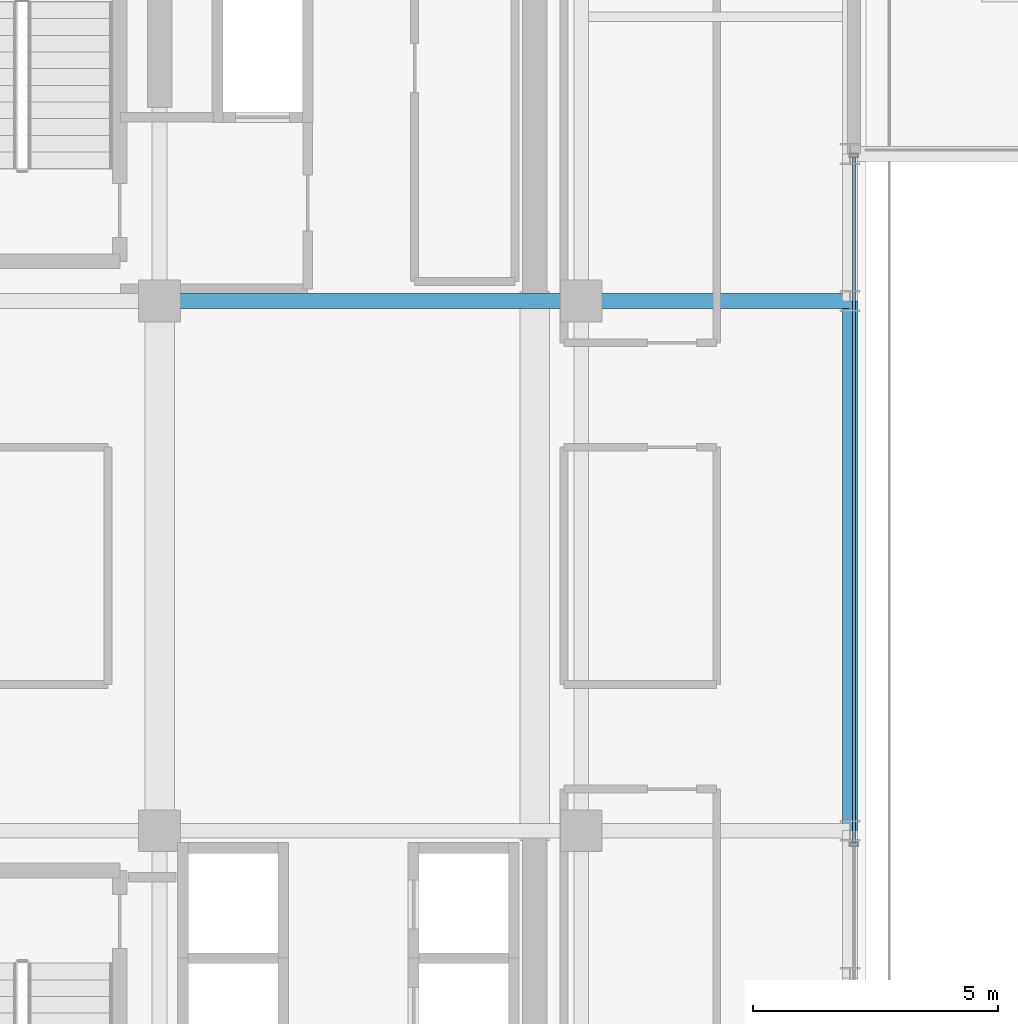
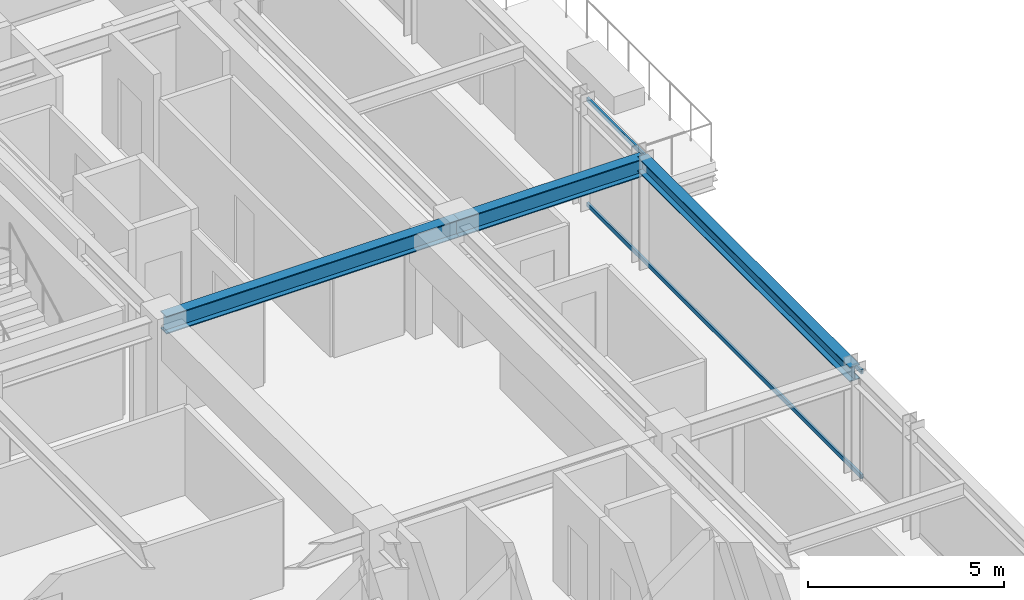
# One storey, part 12 of 33: 3 beams, 2 members, 1 element without a shape of its own.
"""IFC4 building model written with IfcOpenShell, lengths in metres."""

from ifc_helpers import new_model, si_unit, direction, frame, origin, origin_2d, place, context, subcontext, project, spatial, hollow_rectangle, i_section, extrude, source, transform, mapped, material, material_profile, profile_set, type_object, element, aggregate, save


model = new_model("IFC4")

# Units and contexts
model_context = context("Model", 3, precision=1e-05, world=origin(), true_north=direction((0.0, 1.0)))
body_context = subcontext(model_context, "Body", "Model", "MODEL_VIEW")
ifc_project = project(units=[si_unit("LENGTHUNIT", "METRE"), si_unit("AREAUNIT", "SQUARE_METRE"), si_unit("VOLUMEUNIT", "CUBIC_METRE"), si_unit("PLANEANGLEUNIT", "RADIAN"), si_unit("MASSUNIT", "GRAM", prefix="KILO")], contexts=[model_context])

# Site, building, storey
site_placement = place(None, origin())
site = spatial("IfcSite", under=ifc_project, at=site_placement, CompositionType="ELEMENT")
building_placement = place(site_placement, origin())
building = spatial("IfcBuilding", under=site, at=building_placement, Name="Nahalor Promenade Grand Hotel", CompositionType="ELEMENT")
storey_placement = place(building_placement, frame((0.0, 0.0, 149.0)))
storey = spatial("IfcBuildingStorey", under=building, at=storey_placement, Name="L37", CompositionType="ELEMENT", Elevation=149.0)

# Beams
ifc_material_1 = material(Name="Steel S355JR", Category="steel")
ifc_material_profile_1 = material_profile(ifc_material_1, i_section(OverallWidth=0.3, OverallDepth=0.55, WebThickness=0.015, FlangeThickness=0.029, at=origin_2d()), Name="HEB 550")
ifc_profile_set_1 = profile_set([ifc_material_profile_1], Name="Steel S355JR")
beam_type_1 = type_object("IfcBeamType", Name="Beam-Girder-HEB550", PredefinedType="BEAM", material=ifc_profile_set_1)
shared_shape_1 = source(origin(), body_context, "Body", "SweptSolid", [
    extrude(i_section(OverallWidth=0.3, OverallDepth=0.55, WebThickness=0.015, FlangeThickness=0.029, at=origin_2d()), origin(), (0.0, 0.0, 1.0), 8.60009765625),
])
beam_1_placement = place(storey_placement, frame((8.39990234375, 5.39990234375, 3.114990234375), z_axis=(1.0, 0.0, 0.0), x_axis=(0.0, 1.0, 0.0)))
element("IfcBeam", 1, at=beam_1_placement, inside=storey, type_object=beam_type_1, Name="BM-L37-GX-2-5", PredefinedType="BEAM", context=body_context, shape_type="MappedRepresentation", body=[
    mapped(shared_shape_1, transform((0.0, 0.0, 0.0), scale=1.0)),
])
shared_shape_2 = source(origin(), body_context, "Body", "SweptSolid", [
    extrude(i_section(OverallWidth=0.3, OverallDepth=0.55, WebThickness=0.015, FlangeThickness=0.029, at=origin_2d()), origin(), (0.0, 0.0, 1.0), 5.47998046875),
])
beam_2_placement = place(storey_placement, frame((17.0, 5.39990234375, 3.114990234375), z_axis=(1.0, 0.0, 0.0), x_axis=(0.0, 1.0, 0.0)))
element("IfcBeam", 2, at=beam_2_placement, inside=storey, type_object=beam_type_1, Name="BM-L37-GX-2-6", PredefinedType="BEAM", context=body_context, shape_type="MappedRepresentation", body=[
    mapped(shared_shape_2, transform((0.0, 0.0, 0.0), scale=1.0)),
])
ifc_material_profile_2 = material_profile(ifc_material_1, i_section(OverallWidth=0.3, OverallDepth=0.45, WebThickness=0.014, FlangeThickness=0.026, at=origin_2d()), Name="HEB 450")
ifc_profile_set_2 = profile_set([ifc_material_profile_2], Name="Steel S355JR")
beam_type_2 = type_object("IfcBeamType", Name="Beam-Spandrel-HEB450", PredefinedType="SPANDREL", material=ifc_profile_set_2)
shared_shape_3 = source(origin(), body_context, "Body", "SweptSolid", [
    extrude(i_section(OverallWidth=0.3, OverallDepth=0.45, WebThickness=0.014, FlangeThickness=0.026, at=origin_2d()), origin(), (0.0, 0.0, 1.0), 10.7998046875),
])
beam_3_placement = place(storey_placement, frame((22.47998046875, -5.39990234375, 3.1650390625), z_axis=(0.0, 1.0, 0.0), x_axis=(-1.0, 0.0, 0.0)))
element("IfcBeam", 3, at=beam_3_placement, inside=storey, type_object=beam_type_2, Name="BM-L37-SP-E-2", PredefinedType="SPANDREL", context=body_context, shape_type="MappedRepresentation", body=[
    mapped(shared_shape_3, transform((0.0, 0.0, 0.0), scale=1.0)),
])

# Curtain wall, members
ifc_material_2 = material(Name="Anodised Bronze Aluminium EN AW-6063 T6", Category="aluminium")
curtain_wall_type = type_object("IfcCurtainWallType", Name="CW2 Typical Hotel Flush Bronze Unitised Curtain Wall", PredefinedType="USERDEFINED", material=ifc_material_2)
curtain_wall_placement = place(storey_placement, origin())
curtain_wall = element("IfcCurtainWall", 4, at=curtain_wall_placement, inside=storey, type_object=curtain_wall_type, Name="L37 Curtain Wall CW-L37-E-1", ObjectType="UNITISED_CURTAIN_WALL", PredefinedType="USERDEFINED")
ifc_material_profile_3 = material_profile(ifc_material_2, hollow_rectangle(XDim=0.065, YDim=0.13, WallThickness=0.004, at=origin_2d()), Name="CWT 65x130x4")
ifc_profile_set_3 = profile_set([ifc_material_profile_3], Name="Anodised Bronze Aluminium EN AW-6063 T6")
member_type = type_object("IfcMemberType", Name="CWT2 Typical Bronze Transom 65x130", PredefinedType="USERDEFINED", material=ifc_profile_set_3)
shared_shape_4 = source(origin(), body_context, "Body", "SweptSolid", [
    extrude(hollow_rectangle(XDim=0.065, YDim=0.13, WallThickness=0.004, at=origin_2d()), origin(), (0.0, 0.0, 1.0), 13.982421875),
])
member_1_placement = place(storey_placement, frame((22.56005859375, -5.6474609375, 0.06494140625), z_axis=(0.0, 1.0, 0.0), x_axis=(-1.0, 0.0, 0.0)))
member_1 = element("IfcMember", 5, at=member_1_placement, type_object=member_type, Name="CW-L37-E-1 Transom 1-0", ObjectType="TRANSOM", PredefinedType="USERDEFINED", context=body_context, shape_type="MappedRepresentation", body=[
    mapped(shared_shape_4, transform((0.0, 0.0, 0.0), scale=1.0)),
])
member_2_placement = place(storey_placement, frame((22.56005859375, -5.6474609375, 3.324951171875), z_axis=(0.0, 1.0, 0.0), x_axis=(-1.0, 0.0, 0.0)))
member_2 = element("IfcMember", 6, at=member_2_placement, type_object=member_type, Name="CW-L37-E-1 Transom 1-1", ObjectType="TRANSOM", PredefinedType="USERDEFINED", context=body_context, shape_type="MappedRepresentation", body=[
    mapped(shared_shape_4, transform((0.0, 0.0, 0.0), scale=1.0)),
])
aggregate(curtain_wall, [member_1, member_2])

save(model, "model.ifc")
